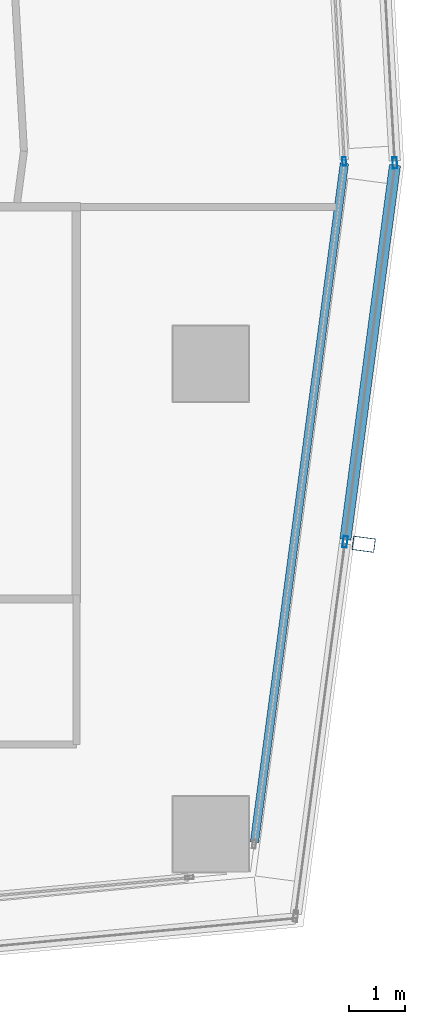
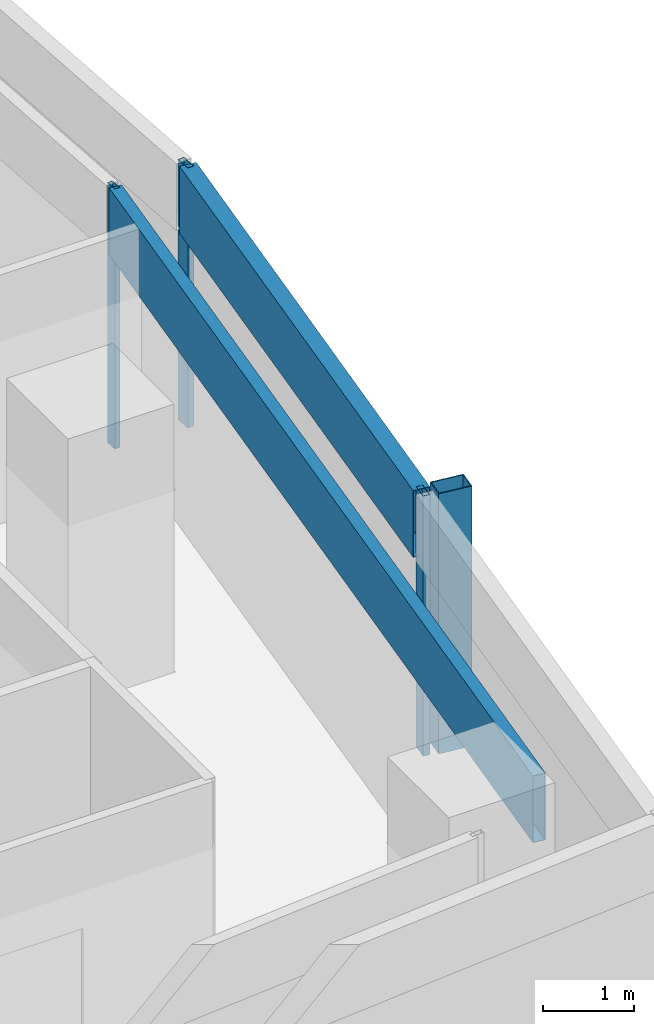
# One storey, part 13 of 40: 6 members, 4 elements without a shape of their own.
"""IFC4 building model written with IfcOpenShell, lengths in metres."""

from ifc_helpers import new_model, si_unit, direction, frame, origin, origin_2d, place, context, subcontext, project, spatial, hollow_rectangle, extrude, material, material_profile, profile_set, type_object, element, aggregate, save


model = new_model("IFC4")

# Units and contexts
model_context = context("Model", 3, precision=1e-05, world=origin(), true_north=direction((0.0, 1.0)))
body_context = subcontext(model_context, "Body", "Model", "MODEL_VIEW")
ifc_project = project(units=[si_unit("LENGTHUNIT", "METRE"), si_unit("AREAUNIT", "SQUARE_METRE"), si_unit("VOLUMEUNIT", "CUBIC_METRE"), si_unit("PLANEANGLEUNIT", "RADIAN"), si_unit("MASSUNIT", "GRAM", prefix="KILO")], contexts=[model_context])

# Site, building, storey
site_placement = place(None, origin())
site = spatial("IfcSite", under=ifc_project, at=site_placement, CompositionType="ELEMENT")
building_placement = place(site_placement, origin())
building = spatial("IfcBuilding", under=site, at=building_placement, Name="Rekha Terrace Tower", CompositionType="ELEMENT")
storey_placement = place(building_placement, frame((0.0, 0.0, 210.199951171875)))
storey = spatial("IfcBuildingStorey", under=building, at=storey_placement, Name="L53", CompositionType="ELEMENT", Elevation=210.199951171875)

# Curtain wall, member
ifc_material_1 = material(Name="Aluminium framing", Category="aluminium")
curtain_wall_type_1 = type_object("IfcCurtainWallType", Name="CW2 double skin outer glazing", PredefinedType="USERDEFINED", material=ifc_material_1)
curtain_wall_1_placement = place(storey_placement, origin())
curtain_wall_1 = element("IfcCurtainWall", 1, at=curtain_wall_1_placement, inside=storey, type_object=curtain_wall_type_1, Name="CW2 double skin outer glazing", ObjectType="DOUBLE SKIN OUTER GLAZING", PredefinedType="USERDEFINED")
ifc_material_2 = material(Name="Steel S355 with fluorocarbon finish", Category="steel")
ifc_material_profile_1 = material_profile(ifc_material_2, hollow_rectangle(XDim=0.25, YDim=0.39990234375, WallThickness=0.012451171875, at=origin_2d()), Name="RHS400x250x12.5")
ifc_profile_set_1 = profile_set([ifc_material_profile_1], Name="Steel S355 with fluorocarbon finish")
member_type_1 = type_object("IfcMemberType", Name="BL1 facade blade RHS 400 x 250", PredefinedType="USERDEFINED", material=ifc_profile_set_1)
member_1_placement = place(storey_placement, frame((61.531005859375, 21.977783203125, 0.0), z_axis=(0.0, 0.0, 1.0), x_axis=(0.131303100637, 0.991342269735, 0.0)))
member_1 = element("IfcMember", 2, at=member_1_placement, type_object=member_type_1, Name="Facade blade", ObjectType="FACADE BLADE", PredefinedType="USERDEFINED", context=body_context, shape_type="SweptSolid", body=[
    extrude(hollow_rectangle(XDim=0.25, YDim=0.39990234375, WallThickness=0.012451171875, at=origin_2d()), origin(), (0.0, 0.0, 1.0), 3.5),
])

curtain_wall_type_2 = type_object("IfcCurtainWallType", Name="CW1 double skin inner glazing", PredefinedType="USERDEFINED", material=ifc_material_1)
curtain_wall_2_placement = place(storey_placement, origin())
curtain_wall_2 = element("IfcCurtainWall", 3, at=curtain_wall_2_placement, inside=storey, type_object=curtain_wall_type_2, Name="CW1 double skin inner glazing", ObjectType="DOUBLE SKIN INNER GLAZING", PredefinedType="USERDEFINED")
ifc_material_3 = material(Name="Aluminium mullion section", Category="aluminium")
ifc_material_profile_2 = material_profile(ifc_material_3, hollow_rectangle(XDim=0.06494140625, YDim=0.14990234375, WallThickness=0.00390625, at=origin_2d()), Name="AL RHS 65x150")
ifc_profile_set_2 = profile_set([ifc_material_profile_2], Name="Aluminium mullion section")
member_type_2 = type_object("IfcMemberType", Name="CW1 mullion RHS 65 x 150", PredefinedType="MULLION", material=ifc_profile_set_2)
member_2_placement = place(storey_placement, frame((61.18408203125, 28.812255859375, 0.0), z_axis=(0.0, 0.0, 1.0), x_axis=(-0.998392782919, -0.05667319486, 0.0)))
member_2 = element("IfcMember", 4, at=member_2_placement, type_object=member_type_2, Name="CW1 mullion 1", PredefinedType="MULLION", context=body_context, shape_type="SweptSolid", body=[
    extrude(hollow_rectangle(XDim=0.06494140625, YDim=0.14990234375, WallThickness=0.00390625, at=origin_2d()), origin(), (0.0, 0.0, 1.0), 3.5),
])
aggregate(curtain_wall_2, [member_2])

curtain_wall_3_placement = place(storey_placement, origin())
curtain_wall_3 = element("IfcCurtainWall", 5, at=curtain_wall_3_placement, inside=storey, type_object=curtain_wall_type_2, Name="CW1 double skin inner glazing", ObjectType="DOUBLE SKIN INNER GLAZING", PredefinedType="USERDEFINED")
ifc_material_4 = material(Name="Insulated aluminium spandrel box", Category="aluminium")
ifc_material_profile_3 = material_profile(ifc_material_4, hollow_rectangle(XDim=0.14990234375, YDim=0.89990234375, WallThickness=0.0029296875, at=origin_2d()), Name="AL SPANDREL BOX 150x900")
ifc_profile_set_3 = profile_set([ifc_material_profile_3], Name="Insulated aluminium spandrel box")
member_type_3 = type_object("IfcMemberType", Name="CW1 spandrel transom 150 x 900", PredefinedType="USERDEFINED", material=ifc_profile_set_3)
member_3_placement = place(storey_placement, frame((59.580322265625, 16.656982421875, 3.050048828125), z_axis=(0.131307111352, 0.991341738508, 0.0), x_axis=(-0.991341738508, 0.131307111352, 0.0)))
member_3 = element("IfcMember", 6, at=member_3_placement, type_object=member_type_3, Name="CW1 spandrel transom 1", ObjectType="TRANSOM", PredefinedType="USERDEFINED", context=body_context, shape_type="SweptSolid", body=[
    extrude(hollow_rectangle(XDim=0.14990234375, YDim=0.89990234375, WallThickness=0.0029296875, at=origin_2d()), origin(), (0.0, 0.0, 1.0), 12.228759765625),
])
aggregate(curtain_wall_3, [member_3])

# Member
ifc_material_profile_4 = material_profile(ifc_material_3, hollow_rectangle(XDim=0.080078125, YDim=0.199951171875, WallThickness=0.00390625, at=origin_2d()), Name="AL RHS 80x200")
ifc_profile_set_4 = profile_set([ifc_material_profile_4], Name="Aluminium mullion section")
member_type_4 = type_object("IfcMemberType", Name="CW2 mullion RHS 80 x 200", PredefinedType="MULLION", material=ifc_profile_set_4)
member_4_placement = place(storey_placement, frame((61.19873046875, 22.021728515625, 0.0), z_axis=(0.0, 0.0, 1.0), x_axis=(-0.991342203187, 0.131303603075, 0.0)))
member_4 = element("IfcMember", 7, at=member_4_placement, type_object=member_type_4, Name="CW2 mullion 2", PredefinedType="MULLION", context=body_context, shape_type="SweptSolid", body=[
    extrude(hollow_rectangle(XDim=0.080078125, YDim=0.199951171875, WallThickness=0.00390625, at=origin_2d()), origin(), (0.0, 0.0, 1.0), 3.5),
])

# Curtain wall, member
curtain_wall_4_placement = place(storey_placement, origin())
curtain_wall_4 = element("IfcCurtainWall", 8, at=curtain_wall_4_placement, inside=storey, type_object=curtain_wall_type_1, Name="CW2 double skin outer glazing", ObjectType="DOUBLE SKIN OUTER GLAZING", PredefinedType="USERDEFINED")
member_5_placement = place(storey_placement, frame((62.087158203125, 28.785888671875, 0.0), z_axis=(0.0, 0.0, 1.0), x_axis=(-0.998392782919, -0.05667319486, 0.0)))
member_5 = element("IfcMember", 9, at=member_5_placement, type_object=member_type_4, Name="CW2 mullion 1", PredefinedType="MULLION", context=body_context, shape_type="SweptSolid", body=[
    extrude(hollow_rectangle(XDim=0.080078125, YDim=0.199951171875, WallThickness=0.00390625, at=origin_2d()), origin(), (0.0, 0.0, 1.0), 3.5),
])
aggregate(curtain_wall_4, [member_5])

# Member
ifc_material_profile_5 = material_profile(ifc_material_4, hollow_rectangle(XDim=0.199951171875, YDim=0.89990234375, WallThickness=0.0029296875, at=origin_2d()), Name="AL SPANDREL BOX 200x900")
ifc_profile_set_5 = profile_set([ifc_material_profile_5], Name="Insulated aluminium spandrel box")
member_type_5 = type_object("IfcMemberType", Name="CW2 spandrel transom 200 x 900", PredefinedType="USERDEFINED", material=ifc_profile_set_5)
member_6_placement = place(storey_placement, frame((61.2041015625, 22.0615234375, 3.050048828125), z_axis=(0.131286165193, 0.991344512684, 0.0), x_axis=(-0.991344512684, 0.131286165193, 0.0)))
member_6 = element("IfcMember", 10, at=member_6_placement, type_object=member_type_5, Name="CW2 spandrel transom 2", ObjectType="TRANSOM", PredefinedType="USERDEFINED", context=body_context, shape_type="SweptSolid", body=[
    extrude(hollow_rectangle(XDim=0.199951171875, YDim=0.89990234375, WallThickness=0.0029296875, at=origin_2d()), origin(), (0.0, 0.0, 1.0), 6.742919921875),
])

aggregate(curtain_wall_1, [member_4, member_6, member_1])

save(model, "model.ifc")
